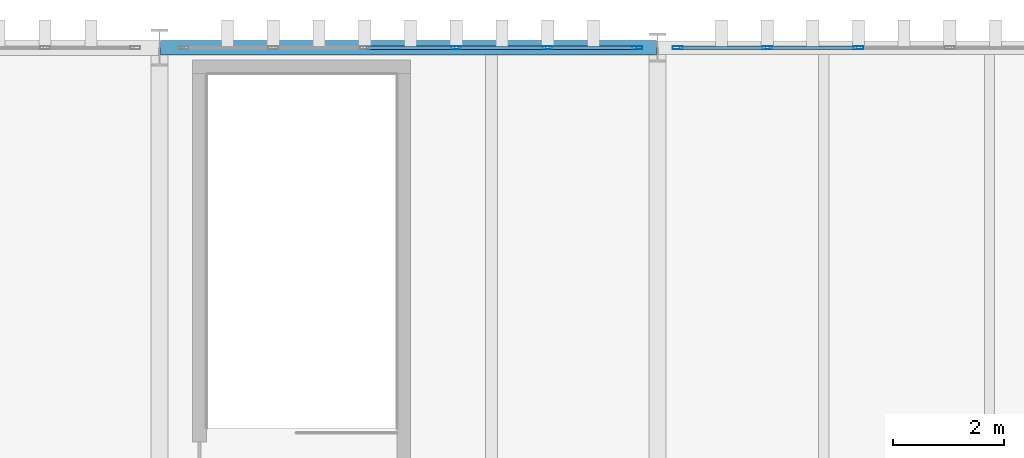
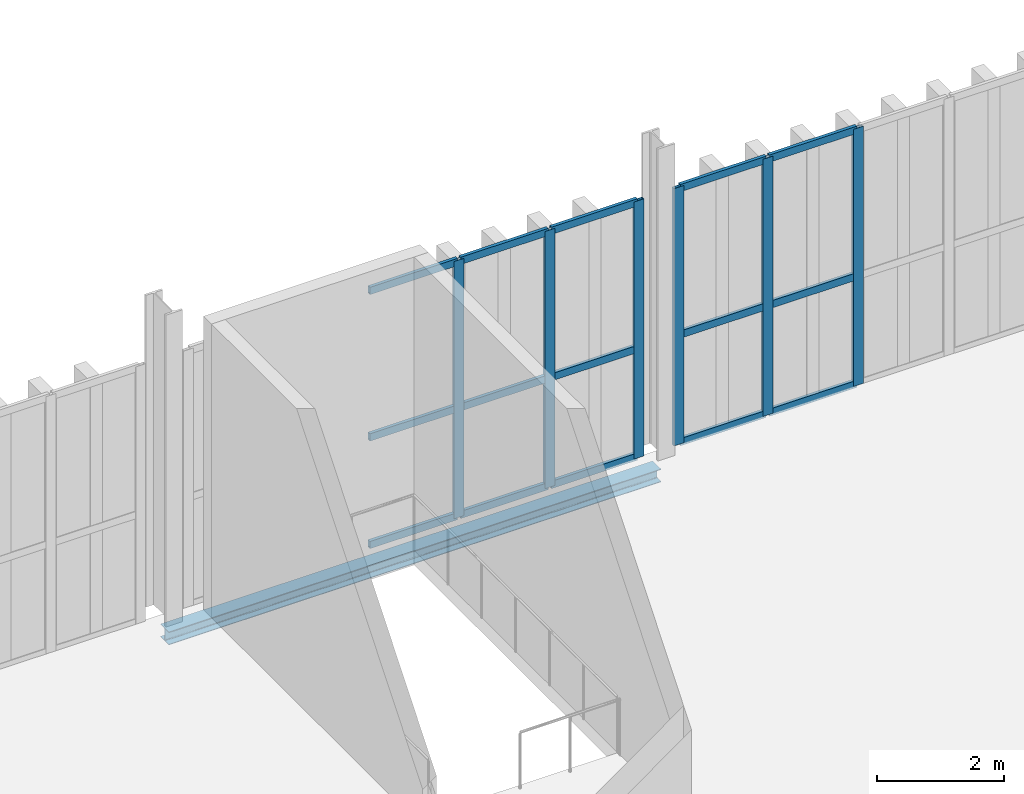
# One storey, part 143 of 211: 21 members, 1 beam, 2 elements without a shape of their own.
"""IFC4 building model written with IfcOpenShell, lengths in metres."""

from ifc_helpers import new_model, si_unit, direction, frame, origin, origin_2d, place, context, subcontext, project, spatial, hollow_rectangle, i_section, extrude, material, layer, layer_set, material_profile, profile_set, type_object, element, aggregate, save


model = new_model("IFC4")

# Units and contexts
model_context = context("Model", 3, precision=1e-05, world=origin(), true_north=direction((0.0, 1.0)))
body_context = subcontext(model_context, "Body", "Model", "MODEL_VIEW")
ifc_project = project(units=[si_unit("LENGTHUNIT", "METRE"), si_unit("AREAUNIT", "SQUARE_METRE"), si_unit("VOLUMEUNIT", "CUBIC_METRE"), si_unit("PLANEANGLEUNIT", "RADIAN"), si_unit("MASSUNIT", "GRAM", prefix="KILO")], contexts=[model_context])

# Site, building, storey
site_placement = place(None, origin())
site = spatial("IfcSite", under=ifc_project, at=site_placement, CompositionType="ELEMENT")
building_placement = place(site_placement, origin())
building = spatial("IfcBuilding", under=site, at=building_placement, Name="Barlavento Convention Centre", CompositionType="ELEMENT")
storey_placement = place(building_placement, frame((0.0, 0.0, 6.0)))
storey = spatial("IfcBuildingStorey", under=building, at=storey_placement, Name="L01", CompositionType="ELEMENT", Elevation=6.0)

# Curtain wall, members
ifc_material_1 = material(Name="Powder-coated aluminium and Low-E glass", Category="aluminium")
ifc_layer = layer(ifc_material_1, 0.179931640625)
ifc_layer_set = layer_set([ifc_layer], Name="ARC-CW-EXH-L01")
curtain_wall_type = type_object("IfcCurtainWallType", Name="ARC-CW-EXH-L01", PredefinedType="NOTDEFINED", material=ifc_layer_set)
curtain_wall_1_placement = place(storey_placement, origin())
curtain_wall_1 = element("IfcCurtainWall", 1, at=curtain_wall_1_placement, inside=storey, type_object=curtain_wall_type, Name="L01 unitised curtain wall CW04", PredefinedType="NOTDEFINED")
ifc_material_2 = material(Name="Powder-coated aluminium", Category="aluminium")
ifc_material_profile_1 = material_profile(ifc_material_2, hollow_rectangle(XDim=0.06005859375, YDim=0.179931640625, WallThickness=0.0048828125, at=origin_2d()), Name="AL-MULL 60x180x5")
ifc_profile_set_1 = profile_set([ifc_material_profile_1], Name="Powder-coated aluminium")
member_type_1 = type_object("IfcMemberType", Name="ARC-CWM-60X180", PredefinedType="MULLION", material=ifc_profile_set_1)
member_1_placement = place(storey_placement, frame((68.3623046875, 135.0, 0.0), z_axis=(0.0, 0.0, 1.0), x_axis=(0.0, 1.0, 0.0)))
member_1 = element("IfcMember", 2, at=member_1_placement, type_object=member_type_1, Name="CW04 mullion 4", PredefinedType="MULLION", context=body_context, shape_type="SweptSolid", body=[
    extrude(hollow_rectangle(XDim=0.06005859375, YDim=0.179931640625, WallThickness=0.0048828125, at=origin_2d()), origin(), (0.0, 0.0, 1.0), 4.949951171875),
])
member_2_placement = place(storey_placement, frame((70.01513671875, 135.0, 0.0), z_axis=(0.0, 0.0, 1.0), x_axis=(0.0, 1.0, 0.0)))
member_2 = element("IfcMember", 3, at=member_2_placement, type_object=member_type_1, Name="CW04 mullion 5", PredefinedType="MULLION", context=body_context, shape_type="SweptSolid", body=[
    extrude(hollow_rectangle(XDim=0.06005859375, YDim=0.179931640625, WallThickness=0.0048828125, at=origin_2d()), origin(), (0.0, 0.0, 1.0), 4.949951171875),
])
member_3_placement = place(storey_placement, frame((71.637939453125, 135.0, 0.0), z_axis=(0.0, 0.0, 1.0), x_axis=(0.0, 1.0, 0.0)))
member_3 = element("IfcMember", 4, at=member_3_placement, type_object=member_type_1, Name="CW04 mullion 6", PredefinedType="MULLION", context=body_context, shape_type="SweptSolid", body=[
    extrude(hollow_rectangle(XDim=0.06005859375, YDim=0.179931640625, WallThickness=0.0048828125, at=origin_2d()), origin(), (0.0, 0.0, 1.0), 4.949951171875),
])

curtain_wall_2_placement = place(storey_placement, origin())
curtain_wall_2 = element("IfcCurtainWall", 5, at=curtain_wall_2_placement, inside=storey, type_object=curtain_wall_type, Name="L01 unitised curtain wall CW04", PredefinedType="NOTDEFINED")
member_4_placement = place(storey_placement, frame((72.362060546875, 135.0, 0.0), z_axis=(0.0, 0.0, 1.0), x_axis=(0.0, 1.0, 0.0)))
member_4 = element("IfcMember", 6, at=member_4_placement, type_object=member_type_1, Name="CW04 mullion 1", PredefinedType="MULLION", context=body_context, shape_type="SweptSolid", body=[
    extrude(hollow_rectangle(XDim=0.06005859375, YDim=0.179931640625, WallThickness=0.0048828125, at=origin_2d()), origin(), (0.0, 0.0, 1.0), 4.949951171875),
])
member_5_placement = place(storey_placement, frame((73.981689453125, 135.0, 0.0), z_axis=(0.0, 0.0, 1.0), x_axis=(0.0, 1.0, 0.0)))
member_5 = element("IfcMember", 7, at=member_5_placement, type_object=member_type_1, Name="CW04 mullion 2", PredefinedType="MULLION", context=body_context, shape_type="SweptSolid", body=[
    extrude(hollow_rectangle(XDim=0.06005859375, YDim=0.179931640625, WallThickness=0.0048828125, at=origin_2d()), origin(), (0.0, 0.0, 1.0), 4.949951171875),
])
member_6_placement = place(storey_placement, frame((75.631103515625, 135.0, 0.0), z_axis=(0.0, 0.0, 1.0), x_axis=(0.0, 1.0, 0.0)))
member_6 = element("IfcMember", 8, at=member_6_placement, type_object=member_type_1, Name="CW04 mullion 3", PredefinedType="MULLION", context=body_context, shape_type="SweptSolid", body=[
    extrude(hollow_rectangle(XDim=0.06005859375, YDim=0.179931640625, WallThickness=0.0048828125, at=origin_2d()), origin(), (0.0, 0.0, 1.0), 4.949951171875),
])

# Member
ifc_material_profile_2 = material_profile(ifc_material_2, hollow_rectangle(XDim=0.06005859375, YDim=0.139892578125, WallThickness=0.00390625, at=origin_2d()), Name="AL-TRAN 60x140x4")
ifc_profile_set_2 = profile_set([ifc_material_profile_2], Name="Powder-coated aluminium")
member_type_2 = type_object("IfcMemberType", Name="ARC-CWT-60X140", PredefinedType="USERDEFINED", material=ifc_profile_set_2)
member_7_placement = place(storey_placement, frame((66.739501953125, 135.0, 0.030029296875), z_axis=(1.0, 0.0, 0.0), x_axis=(0.0, 1.0, 0.0)))
member_7 = element("IfcMember", 9, at=member_7_placement, type_object=member_type_2, Name="CW04 transom 3.1", ObjectType="TRANSOM", PredefinedType="USERDEFINED", context=body_context, shape_type="SweptSolid", body=[
    extrude(hollow_rectangle(XDim=0.06005859375, YDim=0.139892578125, WallThickness=0.00390625, at=origin_2d()), origin(), (0.0, 0.0, 1.0), 1.593017578125),
])

member_8_placement = place(storey_placement, frame((66.739501953125, 135.0, 2.10009765625), z_axis=(1.0, 0.0, 0.0), x_axis=(0.0, 1.0, 0.0)))
member_8 = element("IfcMember", 10, at=member_8_placement, type_object=member_type_2, Name="CW04 transom 3.2", ObjectType="TRANSOM", PredefinedType="USERDEFINED", context=body_context, shape_type="SweptSolid", body=[
    extrude(hollow_rectangle(XDim=0.06005859375, YDim=0.139892578125, WallThickness=0.00390625, at=origin_2d()), origin(), (0.0, 0.0, 1.0), 1.593017578125),
])

member_9_placement = place(storey_placement, frame((66.739501953125, 135.0, 4.919921875), z_axis=(1.0, 0.0, 0.0), x_axis=(0.0, 1.0, 0.0)))
member_9 = element("IfcMember", 11, at=member_9_placement, type_object=member_type_2, Name="CW04 transom 3.3", ObjectType="TRANSOM", PredefinedType="USERDEFINED", context=body_context, shape_type="SweptSolid", body=[
    extrude(hollow_rectangle(XDim=0.06005859375, YDim=0.139892578125, WallThickness=0.00390625, at=origin_2d()), origin(), (0.0, 0.0, 1.0), 1.593017578125),
])

member_10_placement = place(storey_placement, frame((68.392333984375, 135.0, 0.030029296875), z_axis=(1.0, 0.0, 0.0), x_axis=(0.0, 1.0, 0.0)))
member_10 = element("IfcMember", 12, at=member_10_placement, type_object=member_type_2, Name="CW04 transom 4.1", ObjectType="TRANSOM", PredefinedType="USERDEFINED", context=body_context, shape_type="SweptSolid", body=[
    extrude(hollow_rectangle(XDim=0.06005859375, YDim=0.139892578125, WallThickness=0.00390625, at=origin_2d()), origin(), (0.0, 0.0, 1.0), 1.5927734375),
])

member_11_placement = place(storey_placement, frame((68.392333984375, 135.0, 2.10009765625), z_axis=(1.0, 0.0, 0.0), x_axis=(0.0, 1.0, 0.0)))
member_11 = element("IfcMember", 13, at=member_11_placement, type_object=member_type_2, Name="CW04 transom 4.2", ObjectType="TRANSOM", PredefinedType="USERDEFINED", context=body_context, shape_type="SweptSolid", body=[
    extrude(hollow_rectangle(XDim=0.06005859375, YDim=0.139892578125, WallThickness=0.00390625, at=origin_2d()), origin(), (0.0, 0.0, 1.0), 1.5927734375),
])

member_12_placement = place(storey_placement, frame((68.392333984375, 135.0, 4.919921875), z_axis=(1.0, 0.0, 0.0), x_axis=(0.0, 1.0, 0.0)))
member_12 = element("IfcMember", 14, at=member_12_placement, type_object=member_type_2, Name="CW04 transom 4.3", ObjectType="TRANSOM", PredefinedType="USERDEFINED", context=body_context, shape_type="SweptSolid", body=[
    extrude(hollow_rectangle(XDim=0.06005859375, YDim=0.139892578125, WallThickness=0.00390625, at=origin_2d()), origin(), (0.0, 0.0, 1.0), 1.5927734375),
])

member_13_placement = place(storey_placement, frame((70.045166015625, 135.0, 0.030029296875), z_axis=(1.0, 0.0, 0.0), x_axis=(0.0, 1.0, 0.0)))
member_13 = element("IfcMember", 15, at=member_13_placement, type_object=member_type_2, Name="CW04 transom 5.1", ObjectType="TRANSOM", PredefinedType="USERDEFINED", context=body_context, shape_type="SweptSolid", body=[
    extrude(hollow_rectangle(XDim=0.06005859375, YDim=0.139892578125, WallThickness=0.00390625, at=origin_2d()), origin(), (0.0, 0.0, 1.0), 1.562744140625),
])

member_14_placement = place(storey_placement, frame((70.045166015625, 135.0, 2.10009765625), z_axis=(1.0, 0.0, 0.0), x_axis=(0.0, 1.0, 0.0)))
member_14 = element("IfcMember", 16, at=member_14_placement, type_object=member_type_2, Name="CW04 transom 5.2", ObjectType="TRANSOM", PredefinedType="USERDEFINED", context=body_context, shape_type="SweptSolid", body=[
    extrude(hollow_rectangle(XDim=0.06005859375, YDim=0.139892578125, WallThickness=0.00390625, at=origin_2d()), origin(), (0.0, 0.0, 1.0), 1.562744140625),
])

member_15_placement = place(storey_placement, frame((70.045166015625, 135.0, 4.919921875), z_axis=(1.0, 0.0, 0.0), x_axis=(0.0, 1.0, 0.0)))
member_15 = element("IfcMember", 17, at=member_15_placement, type_object=member_type_2, Name="CW04 transom 5.3", ObjectType="TRANSOM", PredefinedType="USERDEFINED", context=body_context, shape_type="SweptSolid", body=[
    extrude(hollow_rectangle(XDim=0.06005859375, YDim=0.139892578125, WallThickness=0.00390625, at=origin_2d()), origin(), (0.0, 0.0, 1.0), 1.562744140625),
])

aggregate(curtain_wall_1, [member_1, member_2, member_3, member_7, member_8, member_9, member_10, member_11, member_12, member_13, member_14, member_15])

member_16_placement = place(storey_placement, frame((72.39208984375, 135.0, 0.030029296875), z_axis=(1.0, 0.0, 0.0), x_axis=(0.0, 1.0, 0.0)))
member_16 = element("IfcMember", 18, at=member_16_placement, type_object=member_type_2, Name="CW04 transom 1.1", ObjectType="TRANSOM", PredefinedType="USERDEFINED", context=body_context, shape_type="SweptSolid", body=[
    extrude(hollow_rectangle(XDim=0.06005859375, YDim=0.139892578125, WallThickness=0.00390625, at=origin_2d()), origin(), (0.0, 0.0, 1.0), 1.5595703125),
])

member_17_placement = place(storey_placement, frame((72.39208984375, 135.0, 2.10009765625), z_axis=(1.0, 0.0, 0.0), x_axis=(0.0, 1.0, 0.0)))
member_17 = element("IfcMember", 19, at=member_17_placement, type_object=member_type_2, Name="CW04 transom 1.2", ObjectType="TRANSOM", PredefinedType="USERDEFINED", context=body_context, shape_type="SweptSolid", body=[
    extrude(hollow_rectangle(XDim=0.06005859375, YDim=0.139892578125, WallThickness=0.00390625, at=origin_2d()), origin(), (0.0, 0.0, 1.0), 1.5595703125),
])

member_18_placement = place(storey_placement, frame((72.39208984375, 135.0, 4.919921875), z_axis=(1.0, 0.0, 0.0), x_axis=(0.0, 1.0, 0.0)))
member_18 = element("IfcMember", 20, at=member_18_placement, type_object=member_type_2, Name="CW04 transom 1.3", ObjectType="TRANSOM", PredefinedType="USERDEFINED", context=body_context, shape_type="SweptSolid", body=[
    extrude(hollow_rectangle(XDim=0.06005859375, YDim=0.139892578125, WallThickness=0.00390625, at=origin_2d()), origin(), (0.0, 0.0, 1.0), 1.5595703125),
])

member_19_placement = place(storey_placement, frame((74.01171875, 135.0, 0.030029296875), z_axis=(1.0, 0.0, 0.0), x_axis=(0.0, 1.0, 0.0)))
member_19 = element("IfcMember", 21, at=member_19_placement, type_object=member_type_2, Name="CW04 transom 2.1", ObjectType="TRANSOM", PredefinedType="USERDEFINED", context=body_context, shape_type="SweptSolid", body=[
    extrude(hollow_rectangle(XDim=0.06005859375, YDim=0.139892578125, WallThickness=0.00390625, at=origin_2d()), origin(), (0.0, 0.0, 1.0), 1.589599609375),
])

member_20_placement = place(storey_placement, frame((74.01171875, 135.0, 2.10009765625), z_axis=(1.0, 0.0, 0.0), x_axis=(0.0, 1.0, 0.0)))
member_20 = element("IfcMember", 22, at=member_20_placement, type_object=member_type_2, Name="CW04 transom 2.2", ObjectType="TRANSOM", PredefinedType="USERDEFINED", context=body_context, shape_type="SweptSolid", body=[
    extrude(hollow_rectangle(XDim=0.06005859375, YDim=0.139892578125, WallThickness=0.00390625, at=origin_2d()), origin(), (0.0, 0.0, 1.0), 1.589599609375),
])

member_21_placement = place(storey_placement, frame((74.01171875, 135.0, 4.919921875), z_axis=(1.0, 0.0, 0.0), x_axis=(0.0, 1.0, 0.0)))
member_21 = element("IfcMember", 23, at=member_21_placement, type_object=member_type_2, Name="CW04 transom 2.3", ObjectType="TRANSOM", PredefinedType="USERDEFINED", context=body_context, shape_type="SweptSolid", body=[
    extrude(hollow_rectangle(XDim=0.06005859375, YDim=0.139892578125, WallThickness=0.00390625, at=origin_2d()), origin(), (0.0, 0.0, 1.0), 1.589599609375),
])

aggregate(curtain_wall_2, [member_4, member_5, member_6, member_16, member_17, member_18, member_19, member_20, member_21])

# Beam
ifc_material_3 = material(Name="Steel S355", Category="steel")
ifc_material_profile_3 = material_profile(ifc_material_3, i_section(OverallWidth=0.260009765625, OverallDepth=0.25, WebThickness=0.007568359375, FlangeThickness=0.012451171875, FilletRadius=0.02392578125, at=origin_2d()), Name="HEA 260")
ifc_profile_set_3 = profile_set([ifc_material_profile_3], Name="Steel S355")
beam_type = type_object("IfcBeamType", Name="STR-BM-SPN-HEA260", PredefinedType="SPANDREL", material=ifc_profile_set_3)
beam_placement = place(storey_placement, frame((63.02001953125, 135.0, -0.405029296875), z_axis=(1.0, 0.0, 0.0), x_axis=(0.0, 1.0, 0.0)))
element("IfcBeam", 24, at=beam_placement, inside=storey, type_object=beam_type, Name="L01 primary girder SP04", PredefinedType="SPANDREL", context=body_context, shape_type="SweptSolid", body=[
    extrude(i_section(OverallWidth=0.260009765625, OverallDepth=0.25, WebThickness=0.007568359375, FlangeThickness=0.012451171875, FilletRadius=0.02392578125, at=origin_2d()), origin(), (0.0, 0.0, 1.0), 8.9599609375),
])

save(model, "model.ifc")
